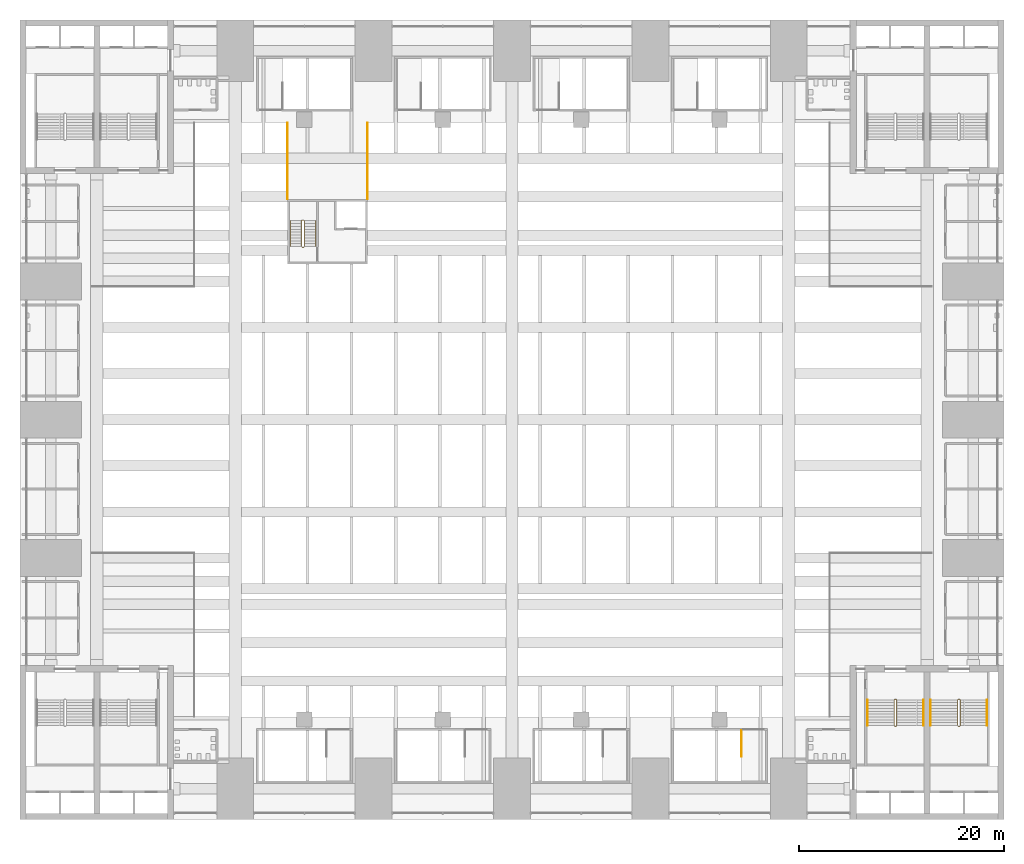
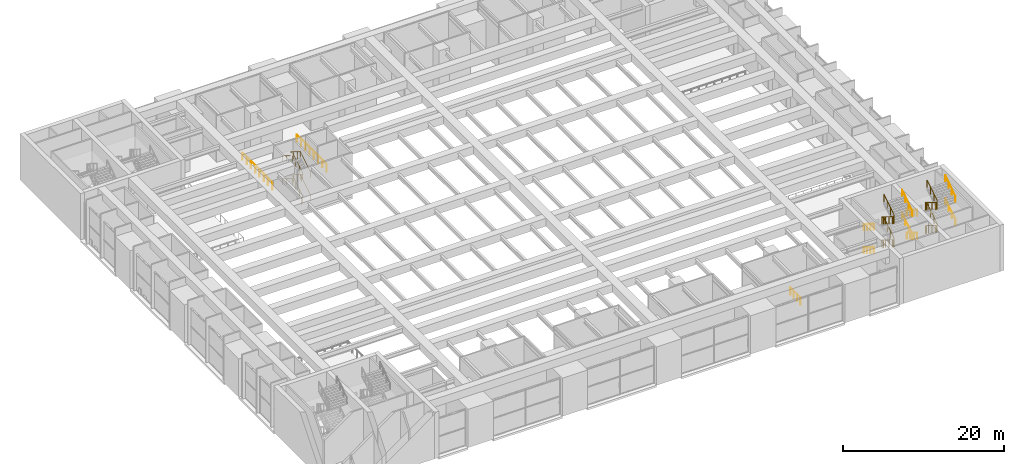
# One storey, part 42 of 45: 8 railings.
"""IFC4 building model written with IfcOpenShell, lengths in metres."""

from ifc_helpers import new_model, si_unit, direction, frame, origin, origin_2d, place, context, subcontext, project, spatial, circle, extrude, material, type_object, element, save


model = new_model("IFC4")

# Units and contexts
model_context = context("Model", 3, precision=1e-05, world=origin(), true_north=direction((0.0, 1.0)))
body_context = subcontext(model_context, "Body", "Model", "MODEL_VIEW")
ifc_project = project(units=[si_unit("LENGTHUNIT", "METRE"), si_unit("AREAUNIT", "SQUARE_METRE"), si_unit("VOLUMEUNIT", "CUBIC_METRE"), si_unit("PLANEANGLEUNIT", "RADIAN"), si_unit("MASSUNIT", "GRAM", prefix="KILO")], contexts=[model_context])

# Site, building, storey
site_placement = place(None, origin())
site = spatial("IfcSite", under=ifc_project, at=site_placement, CompositionType="ELEMENT")
building_placement = place(site_placement, origin())
building = spatial("IfcBuilding", under=site, at=building_placement, Name="Corbelhall Arena Tower", CompositionType="ELEMENT")
storey_placement = place(building_placement, frame((0.0, 0.0, 37.0)))
storey = spatial("IfcBuildingStorey", under=building, at=storey_placement, Name="L05", CompositionType="ELEMENT", Elevation=37.0)

# Railings
ifc_material_1 = material(Name="Stainless steel A4 and laminated glass", Category="steel")
railing_type_1 = type_object("IfcRailingType", Name="AR-GUARD-GLASS", PredefinedType="GUARDRAIL", material=ifc_material_1)
railing_1_placement = place(storey_placement, frame((-21.89990234375, 28.949951171875, 0.0)))
element("IfcRailing", 1, at=railing_1_placement, inside=storey, type_object=railing_type_1, Name="Bowl void guard L05 3", PredefinedType="GUARDRAIL", context=body_context, shape_type="SweptSolid", body=[
    extrude(circle(Radius=0.02392578125, at=origin_2d()), frame((0.0, 0.0, 1.076171875), z_axis=(0.0, -1.0, 0.0), x_axis=(1.0, 0.0, 0.0)), (0.0, 0.0, 1.0), 7.39990234375),
    extrude(circle(Radius=0.02099609375, at=origin_2d()), origin(), (0.0, 0.0, 1.0), 1.052001953125),
    extrude(circle(Radius=0.02099609375, at=origin_2d()), frame((0.0, -1.05712890625, 0.0)), (0.0, 0.0, 1.0), 1.052001953125),
    extrude(circle(Radius=0.02099609375, at=origin_2d()), frame((0.0, -2.1142578125, 0.0)), (0.0, 0.0, 1.0), 1.052001953125),
    extrude(circle(Radius=0.02099609375, at=origin_2d()), frame((0.0, -3.17138671875, 0.0)), (0.0, 0.0, 1.0), 1.052001953125),
    extrude(circle(Radius=0.02099609375, at=origin_2d()), frame((0.0, -4.228515625, 0.0)), (0.0, 0.0, 1.0), 1.052001953125),
    extrude(circle(Radius=0.02099609375, at=origin_2d()), frame((0.0, -5.28564453125, 0.0)), (0.0, 0.0, 1.0), 1.052001953125),
    extrude(circle(Radius=0.02099609375, at=origin_2d()), frame((0.0, -6.3427734375, 0.0)), (0.0, 0.0, 1.0), 1.052001953125),
    extrude(circle(Radius=0.02099609375, at=origin_2d()), frame((0.0, -7.39990234375, 0.0)), (0.0, 0.0, 1.0), 1.052001953125),
])
railing_2_placement = place(storey_placement, frame((-14.10009765625, 21.550048828125, 0.0)))
element("IfcRailing", 2, at=railing_2_placement, inside=storey, type_object=railing_type_1, Name="Bowl void guard L05 4", PredefinedType="GUARDRAIL", context=body_context, shape_type="SweptSolid", body=[
    extrude(circle(Radius=0.02392578125, at=origin_2d()), frame((0.0, 0.0, 1.076171875), z_axis=(0.0, 1.0, 0.0), x_axis=(-1.0, 0.0, 0.0)), (0.0, 0.0, 1.0), 7.39990234375),
    extrude(circle(Radius=0.02099609375, at=origin_2d()), origin(), (0.0, 0.0, 1.0), 1.052001953125),
    extrude(circle(Radius=0.02099609375, at=origin_2d()), frame((0.0, 1.05712890625, 0.0)), (0.0, 0.0, 1.0), 1.052001953125),
    extrude(circle(Radius=0.02099609375, at=origin_2d()), frame((0.0, 2.1142578125, 0.0)), (0.0, 0.0, 1.0), 1.052001953125),
    extrude(circle(Radius=0.02099609375, at=origin_2d()), frame((0.0, 3.17138671875, 0.0)), (0.0, 0.0, 1.0), 1.052001953125),
    extrude(circle(Radius=0.02099609375, at=origin_2d()), frame((0.0, 4.228515625, 0.0)), (0.0, 0.0, 1.0), 1.052001953125),
    extrude(circle(Radius=0.02099609375, at=origin_2d()), frame((0.0, 5.28564453125, 0.0)), (0.0, 0.0, 1.0), 1.052001953125),
    extrude(circle(Radius=0.02099609375, at=origin_2d()), frame((0.0, 6.3427734375, 0.0)), (0.0, 0.0, 1.0), 1.052001953125),
    extrude(circle(Radius=0.02099609375, at=origin_2d()), frame((0.0, 7.39990234375, 0.0)), (0.0, 0.0, 1.0), 1.052001953125),
])
ifc_material_2 = material(Name="Stainless steel A4", Category="steel")
railing_type_2 = type_object("IfcRailingType", Name="AR-STAIR-GUARD", PredefinedType="GUARDRAIL", material=ifc_material_2)
railing_3_placement = place(storey_placement, frame((22.39990234375, -30.300048828125, 0.0)))
element("IfcRailing", 3, at=railing_3_placement, inside=storey, type_object=railing_type_2, Name="L05 AS16 top well guards", PredefinedType="GUARDRAIL", context=body_context, shape_type="SweptSolid", body=[
    extrude(circle(Radius=0.02392578125, at=origin_2d()), frame((0.0, 0.0, 1.076171875), z_axis=(0.0, -1.0, 0.0), x_axis=(1.0, 0.0, 0.0)), (0.0, 0.0, 1.0), 2.550048828125),
    extrude(circle(Radius=0.02099609375, at=origin_2d()), origin(), (0.0, 0.0, 1.0), 1.052001953125),
    extrude(circle(Radius=0.02099609375, at=origin_2d()), frame((0.0, -0.85009765625, 0.0)), (0.0, 0.0, 1.0), 1.052001953125),
    extrude(circle(Radius=0.02099609375, at=origin_2d()), frame((0.0, -1.699951171875, 0.0)), (0.0, 0.0, 1.0), 1.052001953125),
    extrude(circle(Radius=0.02099609375, at=origin_2d()), frame((0.0, -2.550048828125, 0.0)), (0.0, 0.0, 1.0), 1.052001953125),
])
railing_4_placement = place(storey_placement, frame((37.280029296875, -27.320068359375, 0.175048828125)))
element("IfcRailing", 4, at=railing_4_placement, inside=storey, type_object=railing_type_2, Name="L05 AS5 stair guards", PredefinedType="GUARDRAIL", context=body_context, shape_type="SweptSolid", body=[
    extrude(circle(Radius=0.02392578125, at=origin_2d()), frame((0.0, 0.0, 1.076171875), z_axis=(0.0, -0.848007534815, 0.529984170421), x_axis=(1.0, 0.0, 0.0)), (0.0, 0.0, 1.0), 2.9716796875),
    extrude(circle(Radius=0.02392578125, at=origin_2d()), frame((0.050048828125, -2.56982421875, 2.65087890625), z_axis=(1.0, 0.0, 0.0), x_axis=(0.0, 1.0, 0.0)), (0.0, 0.0, 1.0), 0.14990234375),
    extrude(circle(Radius=0.02392578125, at=origin_2d()), frame((0.25, -2.52001953125, 2.826171875), z_axis=(0.0, 0.848007534815, 0.529984170421), x_axis=(-1.0, 0.0, 0.0)), (0.0, 0.0, 1.0), 2.9716796875),
    extrude(circle(Radius=0.02392578125, at=origin_2d()), frame((0.050048828125, 0.050048828125, 4.40087890625), z_axis=(1.0, 0.0, 0.0), x_axis=(0.0, 1.0, 0.0)), (0.0, 0.0, 1.0), 0.14990234375),
    extrude(circle(Radius=0.02392578125, at=origin_2d()), frame((0.0, 0.0, 4.576171875), z_axis=(0.0, -0.848007534815, 0.529984170421), x_axis=(1.0, 0.0, 0.0)), (0.0, 0.0, 1.0), 2.9716796875),
    extrude(circle(Radius=0.02392578125, at=origin_2d()), frame((0.050048828125, -2.56982421875, 6.15087890625), z_axis=(1.0, 0.0, 0.0), x_axis=(0.0, 1.0, 0.0)), (0.0, 0.0, 1.0), 0.14990234375),
    extrude(circle(Radius=0.02392578125, at=origin_2d()), frame((0.25, -2.52001953125, 6.326171875), z_axis=(0.0, 0.848007534815, 0.529984170421), x_axis=(-1.0, 0.0, 0.0)), (0.0, 0.0, 1.0), 2.9716796875),
    extrude(circle(Radius=0.02392578125, at=origin_2d()), frame((0.050048828125, 0.050048828125, 0.90087890625), z_axis=(1.0, 0.0, 0.0), x_axis=(0.0, 1.0, 0.0)), (0.0, 0.0, 1.0), 0.14990234375),
    extrude(circle(Radius=0.02099609375, at=origin_2d()), origin(), (0.0, 0.0, 1.0), 1.052001953125),
    extrude(circle(Radius=0.02099609375, at=origin_2d()), frame((0.0, -0.840087890625, 0.52490234375)), (0.0, 0.0, 1.0), 1.052001953125),
    extrude(circle(Radius=0.02099609375, at=origin_2d()), frame((0.0, -1.679931640625, 1.050048828125)), (0.0, 0.0, 1.0), 1.052001953125),
    extrude(circle(Radius=0.02099609375, at=origin_2d()), frame((0.0, -2.52001953125, 1.574951171875)), (0.0, 0.0, 1.0), 1.052001953125),
    extrude(circle(Radius=0.02099609375, at=origin_2d()), frame((0.050048828125, -2.56982421875, 1.574951171875)), (0.0, 0.0, 1.0), 1.052001953125),
    extrude(circle(Radius=0.02099609375, at=origin_2d()), frame((0.199951171875, -2.56982421875, 1.574951171875)), (0.0, 0.0, 1.0), 1.052001953125),
    extrude(circle(Radius=0.02099609375, at=origin_2d()), frame((0.25, -2.52001953125, 1.75)), (0.0, 0.0, 1.0), 1.052001953125),
    extrude(circle(Radius=0.02099609375, at=origin_2d()), frame((0.25, -1.679931640625, 2.27490234375)), (0.0, 0.0, 1.0), 1.052001953125),
    extrude(circle(Radius=0.02099609375, at=origin_2d()), frame((0.25, -0.840087890625, 2.800048828125)), (0.0, 0.0, 1.0), 1.052001953125),
    extrude(circle(Radius=0.02099609375, at=origin_2d()), frame((0.25, 0.0, 3.324951171875)), (0.0, 0.0, 1.0), 1.052001953125),
    extrude(circle(Radius=0.02099609375, at=origin_2d()), frame((0.050048828125, 0.050048828125, 3.324951171875)), (0.0, 0.0, 1.0), 1.052001953125),
    extrude(circle(Radius=0.02099609375, at=origin_2d()), frame((0.199951171875, 0.050048828125, 3.324951171875)), (0.0, 0.0, 1.0), 1.052001953125),
    extrude(circle(Radius=0.02099609375, at=origin_2d()), frame((0.0, 0.0, 3.5)), (0.0, 0.0, 1.0), 1.052001953125),
    extrude(circle(Radius=0.02099609375, at=origin_2d()), frame((0.0, -0.840087890625, 4.02490234375)), (0.0, 0.0, 1.0), 1.052001953125),
    extrude(circle(Radius=0.02099609375, at=origin_2d()), frame((0.0, -1.679931640625, 4.550048828125)), (0.0, 0.0, 1.0), 1.052001953125),
    extrude(circle(Radius=0.02099609375, at=origin_2d()), frame((0.0, -2.52001953125, 5.074951171875)), (0.0, 0.0, 1.0), 1.052001953125),
    extrude(circle(Radius=0.02099609375, at=origin_2d()), frame((0.050048828125, -2.56982421875, 5.074951171875)), (0.0, 0.0, 1.0), 1.052001953125),
    extrude(circle(Radius=0.02099609375, at=origin_2d()), frame((0.199951171875, -2.56982421875, 5.074951171875)), (0.0, 0.0, 1.0), 1.052001953125),
    extrude(circle(Radius=0.02099609375, at=origin_2d()), frame((0.25, -2.52001953125, 5.25)), (0.0, 0.0, 1.0), 1.052001953125),
    extrude(circle(Radius=0.02099609375, at=origin_2d()), frame((0.25, -1.679931640625, 5.77490234375)), (0.0, 0.0, 1.0), 1.052001953125),
    extrude(circle(Radius=0.02099609375, at=origin_2d()), frame((0.25, -0.840087890625, 6.300048828125)), (0.0, 0.0, 1.0), 1.052001953125),
    extrude(circle(Radius=0.02099609375, at=origin_2d()), frame((0.25, 0.0, 6.824951171875)), (0.0, 0.0, 1.0), 1.052001953125),
    extrude(circle(Radius=0.02099609375, at=origin_2d()), frame((0.050048828125, 0.050048828125, -0.175048828125)), (0.0, 0.0, 1.0), 1.052001953125),
    extrude(circle(Radius=0.02099609375, at=origin_2d()), frame((0.199951171875, 0.050048828125, -0.175048828125)), (0.0, 0.0, 1.0), 1.052001953125),
])
railing_5_placement = place(storey_placement, frame((43.469970703125, -27.320068359375, 0.175048828125)))
element("IfcRailing", 5, at=railing_5_placement, inside=storey, type_object=railing_type_2, Name="L05 AS6 stair guards", PredefinedType="GUARDRAIL", context=body_context, shape_type="SweptSolid", body=[
    extrude(circle(Radius=0.02392578125, at=origin_2d()), frame((0.0, 0.0, 1.076171875), z_axis=(0.0, -0.848007534815, 0.529984170421), x_axis=(1.0, 0.0, 0.0)), (0.0, 0.0, 1.0), 2.9716796875),
    extrude(circle(Radius=0.02392578125, at=origin_2d()), frame((0.050048828125, -2.56982421875, 2.65087890625), z_axis=(1.0, 0.0, 0.0), x_axis=(0.0, 1.0, 0.0)), (0.0, 0.0, 1.0), 0.14990234375),
    extrude(circle(Radius=0.02392578125, at=origin_2d()), frame((0.25, -2.52001953125, 2.826171875), z_axis=(0.0, 0.848007534815, 0.529984170421), x_axis=(-1.0, 0.0, 0.0)), (0.0, 0.0, 1.0), 2.9716796875),
    extrude(circle(Radius=0.02392578125, at=origin_2d()), frame((0.050048828125, 0.050048828125, 4.40087890625), z_axis=(1.0, 0.0, 0.0), x_axis=(0.0, 1.0, 0.0)), (0.0, 0.0, 1.0), 0.14990234375),
    extrude(circle(Radius=0.02392578125, at=origin_2d()), frame((0.0, 0.0, 4.576171875), z_axis=(0.0, -0.848007534815, 0.529984170421), x_axis=(1.0, 0.0, 0.0)), (0.0, 0.0, 1.0), 2.9716796875),
    extrude(circle(Radius=0.02392578125, at=origin_2d()), frame((0.050048828125, -2.56982421875, 6.15087890625), z_axis=(1.0, 0.0, 0.0), x_axis=(0.0, 1.0, 0.0)), (0.0, 0.0, 1.0), 0.14990234375),
    extrude(circle(Radius=0.02392578125, at=origin_2d()), frame((0.25, -2.52001953125, 6.326171875), z_axis=(0.0, 0.848007534815, 0.529984170421), x_axis=(-1.0, 0.0, 0.0)), (0.0, 0.0, 1.0), 2.9716796875),
    extrude(circle(Radius=0.02392578125, at=origin_2d()), frame((0.050048828125, 0.050048828125, 0.90087890625), z_axis=(1.0, 0.0, 0.0), x_axis=(0.0, 1.0, 0.0)), (0.0, 0.0, 1.0), 0.14990234375),
    extrude(circle(Radius=0.02099609375, at=origin_2d()), origin(), (0.0, 0.0, 1.0), 1.052001953125),
    extrude(circle(Radius=0.02099609375, at=origin_2d()), frame((0.0, -0.840087890625, 0.52490234375)), (0.0, 0.0, 1.0), 1.052001953125),
    extrude(circle(Radius=0.02099609375, at=origin_2d()), frame((0.0, -1.679931640625, 1.050048828125)), (0.0, 0.0, 1.0), 1.052001953125),
    extrude(circle(Radius=0.02099609375, at=origin_2d()), frame((0.0, -2.52001953125, 1.574951171875)), (0.0, 0.0, 1.0), 1.052001953125),
    extrude(circle(Radius=0.02099609375, at=origin_2d()), frame((0.050048828125, -2.56982421875, 1.574951171875)), (0.0, 0.0, 1.0), 1.052001953125),
    extrude(circle(Radius=0.02099609375, at=origin_2d()), frame((0.199951171875, -2.56982421875, 1.574951171875)), (0.0, 0.0, 1.0), 1.052001953125),
    extrude(circle(Radius=0.02099609375, at=origin_2d()), frame((0.25, -2.52001953125, 1.75)), (0.0, 0.0, 1.0), 1.052001953125),
    extrude(circle(Radius=0.02099609375, at=origin_2d()), frame((0.25, -1.679931640625, 2.27490234375)), (0.0, 0.0, 1.0), 1.052001953125),
    extrude(circle(Radius=0.02099609375, at=origin_2d()), frame((0.25, -0.840087890625, 2.800048828125)), (0.0, 0.0, 1.0), 1.052001953125),
    extrude(circle(Radius=0.02099609375, at=origin_2d()), frame((0.25, 0.0, 3.324951171875)), (0.0, 0.0, 1.0), 1.052001953125),
    extrude(circle(Radius=0.02099609375, at=origin_2d()), frame((0.050048828125, 0.050048828125, 3.324951171875)), (0.0, 0.0, 1.0), 1.052001953125),
    extrude(circle(Radius=0.02099609375, at=origin_2d()), frame((0.199951171875, 0.050048828125, 3.324951171875)), (0.0, 0.0, 1.0), 1.052001953125),
    extrude(circle(Radius=0.02099609375, at=origin_2d()), frame((0.0, 0.0, 3.5)), (0.0, 0.0, 1.0), 1.052001953125),
    extrude(circle(Radius=0.02099609375, at=origin_2d()), frame((0.0, -0.840087890625, 4.02490234375)), (0.0, 0.0, 1.0), 1.052001953125),
    extrude(circle(Radius=0.02099609375, at=origin_2d()), frame((0.0, -1.679931640625, 4.550048828125)), (0.0, 0.0, 1.0), 1.052001953125),
    extrude(circle(Radius=0.02099609375, at=origin_2d()), frame((0.0, -2.52001953125, 5.074951171875)), (0.0, 0.0, 1.0), 1.052001953125),
    extrude(circle(Radius=0.02099609375, at=origin_2d()), frame((0.050048828125, -2.56982421875, 5.074951171875)), (0.0, 0.0, 1.0), 1.052001953125),
    extrude(circle(Radius=0.02099609375, at=origin_2d()), frame((0.199951171875, -2.56982421875, 5.074951171875)), (0.0, 0.0, 1.0), 1.052001953125),
    extrude(circle(Radius=0.02099609375, at=origin_2d()), frame((0.25, -2.52001953125, 5.25)), (0.0, 0.0, 1.0), 1.052001953125),
    extrude(circle(Radius=0.02099609375, at=origin_2d()), frame((0.25, -1.679931640625, 5.77490234375)), (0.0, 0.0, 1.0), 1.052001953125),
    extrude(circle(Radius=0.02099609375, at=origin_2d()), frame((0.25, -0.840087890625, 6.300048828125)), (0.0, 0.0, 1.0), 1.052001953125),
    extrude(circle(Radius=0.02099609375, at=origin_2d()), frame((0.25, 0.0, 6.824951171875)), (0.0, 0.0, 1.0), 1.052001953125),
    extrude(circle(Radius=0.02099609375, at=origin_2d()), frame((0.050048828125, 0.050048828125, -0.175048828125)), (0.0, 0.0, 1.0), 1.052001953125),
    extrude(circle(Radius=0.02099609375, at=origin_2d()), frame((0.199951171875, 0.050048828125, -0.175048828125)), (0.0, 0.0, 1.0), 1.052001953125),
])
railing_type_3 = type_object("IfcRailingType", Name="AR-STAIR-HANDRAIL", PredefinedType="HANDRAIL", material=ifc_material_2)
railing_6_placement = place(storey_placement, frame((34.659912109375, -27.320068359375, 0.175048828125)))
element("IfcRailing", 6, at=railing_6_placement, inside=storey, type_object=railing_type_3, Name="L05 AS5 stair handrails", PredefinedType="HANDRAIL", context=body_context, shape_type="SweptSolid", body=[
    extrude(circle(Radius=0.02392578125, at=origin_2d()), frame((0.0, 0.0, 0.8759765625), z_axis=(0.0, -0.848007534815, 0.529984170421), x_axis=(1.0, 0.0, 0.0)), (0.0, 0.0, 1.0), 2.9716796875),
    extrude(circle(Radius=0.02392578125, at=origin_2d()), frame((5.489990234375, -2.52001953125, 2.6259765625), z_axis=(0.0, 0.848007534815, 0.529984170421), x_axis=(-1.0, 0.0, 0.0)), (0.0, 0.0, 1.0), 2.9716796875),
    extrude(circle(Radius=0.02392578125, at=origin_2d()), frame((0.0, 0.0, 4.3759765625), z_axis=(0.0, -0.848007534815, 0.529984170421), x_axis=(1.0, 0.0, 0.0)), (0.0, 0.0, 1.0), 2.9716796875),
    extrude(circle(Radius=0.02392578125, at=origin_2d()), frame((5.489990234375, -2.52001953125, 6.1259765625), z_axis=(0.0, 0.848007534815, 0.529984170421), x_axis=(-1.0, 0.0, 0.0)), (0.0, 0.0, 1.0), 2.9716796875),
    extrude(circle(Radius=0.02099609375, at=origin_2d()), origin(), (0.0, 0.0, 1.0), 0.851806640625),
    extrude(circle(Radius=0.02099609375, at=origin_2d()), frame((0.0, -0.840087890625, 0.52490234375)), (0.0, 0.0, 1.0), 0.851806640625),
    extrude(circle(Radius=0.02099609375, at=origin_2d()), frame((0.0, -1.679931640625, 1.050048828125)), (0.0, 0.0, 1.0), 0.851806640625),
    extrude(circle(Radius=0.02099609375, at=origin_2d()), frame((0.0, -2.52001953125, 1.574951171875)), (0.0, 0.0, 1.0), 0.851806640625),
    extrude(circle(Radius=0.02099609375, at=origin_2d()), frame((5.489990234375, -2.52001953125, 1.75)), (0.0, 0.0, 1.0), 0.851806640625),
    extrude(circle(Radius=0.02099609375, at=origin_2d()), frame((5.489990234375, -1.679931640625, 2.27490234375)), (0.0, 0.0, 1.0), 0.851806640625),
    extrude(circle(Radius=0.02099609375, at=origin_2d()), frame((5.489990234375, -0.840087890625, 2.800048828125)), (0.0, 0.0, 1.0), 0.851806640625),
    extrude(circle(Radius=0.02099609375, at=origin_2d()), frame((5.489990234375, 0.0, 3.324951171875)), (0.0, 0.0, 1.0), 0.851806640625),
    extrude(circle(Radius=0.02099609375, at=origin_2d()), frame((0.0, 0.0, 3.5)), (0.0, 0.0, 1.0), 0.851806640625),
    extrude(circle(Radius=0.02099609375, at=origin_2d()), frame((0.0, -0.840087890625, 4.02490234375)), (0.0, 0.0, 1.0), 0.851806640625),
    extrude(circle(Radius=0.02099609375, at=origin_2d()), frame((0.0, -1.679931640625, 4.550048828125)), (0.0, 0.0, 1.0), 0.851806640625),
    extrude(circle(Radius=0.02099609375, at=origin_2d()), frame((0.0, -2.52001953125, 5.074951171875)), (0.0, 0.0, 1.0), 0.851806640625),
    extrude(circle(Radius=0.02099609375, at=origin_2d()), frame((5.489990234375, -2.52001953125, 5.25)), (0.0, 0.0, 1.0), 0.851806640625),
    extrude(circle(Radius=0.02099609375, at=origin_2d()), frame((5.489990234375, -1.679931640625, 5.77490234375)), (0.0, 0.0, 1.0), 0.851806640625),
    extrude(circle(Radius=0.02099609375, at=origin_2d()), frame((5.489990234375, -0.840087890625, 6.300048828125)), (0.0, 0.0, 1.0), 0.851806640625),
    extrude(circle(Radius=0.02099609375, at=origin_2d()), frame((5.489990234375, 0.0, 6.824951171875)), (0.0, 0.0, 1.0), 0.851806640625),
])
railing_7_placement = place(storey_placement, frame((40.85009765625, -27.320068359375, 0.175048828125)))
element("IfcRailing", 7, at=railing_7_placement, inside=storey, type_object=railing_type_3, Name="L05 AS6 stair handrails", PredefinedType="HANDRAIL", context=body_context, shape_type="SweptSolid", body=[
    extrude(circle(Radius=0.02392578125, at=origin_2d()), frame((0.0, 0.0, 0.8759765625), z_axis=(0.0, -0.848007534815, 0.529984170421), x_axis=(1.0, 0.0, 0.0)), (0.0, 0.0, 1.0), 2.9716796875),
    extrude(circle(Radius=0.02392578125, at=origin_2d()), frame((5.489990234375, -2.52001953125, 2.6259765625), z_axis=(0.0, 0.848007534815, 0.529984170421), x_axis=(-1.0, 0.0, 0.0)), (0.0, 0.0, 1.0), 2.9716796875),
    extrude(circle(Radius=0.02392578125, at=origin_2d()), frame((0.0, 0.0, 4.3759765625), z_axis=(0.0, -0.848007534815, 0.529984170421), x_axis=(1.0, 0.0, 0.0)), (0.0, 0.0, 1.0), 2.9716796875),
    extrude(circle(Radius=0.02392578125, at=origin_2d()), frame((5.489990234375, -2.52001953125, 6.1259765625), z_axis=(0.0, 0.848007534815, 0.529984170421), x_axis=(-1.0, 0.0, 0.0)), (0.0, 0.0, 1.0), 2.9716796875),
    extrude(circle(Radius=0.02099609375, at=origin_2d()), origin(), (0.0, 0.0, 1.0), 0.851806640625),
    extrude(circle(Radius=0.02099609375, at=origin_2d()), frame((0.0, -0.840087890625, 0.52490234375)), (0.0, 0.0, 1.0), 0.851806640625),
    extrude(circle(Radius=0.02099609375, at=origin_2d()), frame((0.0, -1.679931640625, 1.050048828125)), (0.0, 0.0, 1.0), 0.851806640625),
    extrude(circle(Radius=0.02099609375, at=origin_2d()), frame((0.0, -2.52001953125, 1.574951171875)), (0.0, 0.0, 1.0), 0.851806640625),
    extrude(circle(Radius=0.02099609375, at=origin_2d()), frame((5.489990234375, -2.52001953125, 1.75)), (0.0, 0.0, 1.0), 0.851806640625),
    extrude(circle(Radius=0.02099609375, at=origin_2d()), frame((5.489990234375, -1.679931640625, 2.27490234375)), (0.0, 0.0, 1.0), 0.851806640625),
    extrude(circle(Radius=0.02099609375, at=origin_2d()), frame((5.489990234375, -0.840087890625, 2.800048828125)), (0.0, 0.0, 1.0), 0.851806640625),
    extrude(circle(Radius=0.02099609375, at=origin_2d()), frame((5.489990234375, 0.0, 3.324951171875)), (0.0, 0.0, 1.0), 0.851806640625),
    extrude(circle(Radius=0.02099609375, at=origin_2d()), frame((0.0, 0.0, 3.5)), (0.0, 0.0, 1.0), 0.851806640625),
    extrude(circle(Radius=0.02099609375, at=origin_2d()), frame((0.0, -0.840087890625, 4.02490234375)), (0.0, 0.0, 1.0), 0.851806640625),
    extrude(circle(Radius=0.02099609375, at=origin_2d()), frame((0.0, -1.679931640625, 4.550048828125)), (0.0, 0.0, 1.0), 0.851806640625),
    extrude(circle(Radius=0.02099609375, at=origin_2d()), frame((0.0, -2.52001953125, 5.074951171875)), (0.0, 0.0, 1.0), 0.851806640625),
    extrude(circle(Radius=0.02099609375, at=origin_2d()), frame((5.489990234375, -2.52001953125, 5.25)), (0.0, 0.0, 1.0), 0.851806640625),
    extrude(circle(Radius=0.02099609375, at=origin_2d()), frame((5.489990234375, -1.679931640625, 5.77490234375)), (0.0, 0.0, 1.0), 0.851806640625),
    extrude(circle(Radius=0.02099609375, at=origin_2d()), frame((5.489990234375, -0.840087890625, 6.300048828125)), (0.0, 0.0, 1.0), 0.851806640625),
    extrude(circle(Radius=0.02099609375, at=origin_2d()), frame((5.489990234375, 0.0, 6.824951171875)), (0.0, 0.0, 1.0), 0.851806640625),
])
ifc_material_3 = material(Name="Steel ASTM A500 Gr C", Category="steel")
railing_type_4 = type_object("IfcRailingType", Name="IN-GD-1100", PredefinedType="GUARDRAIL", material=ifc_material_3)
railing_8_placement = place(storey_placement, frame((-20.2451171875, 16.89990234375, 0.175048828125)))
element("IfcRailing", 8, at=railing_8_placement, inside=storey, type_object=railing_type_4, Name="L05 AS17 stair guards and handrails", PredefinedType="GUARDRAIL", context=body_context, shape_type="SweptSolid", body=[
    extrude(circle(Radius=0.02392578125, at=origin_2d()), frame((0.0, 0.0, 1.076171875), z_axis=(0.0, 0.848007534815, 0.529984170421), x_axis=(-1.0, 0.0, 0.0)), (0.0, 0.0, 1.0), 2.9716796875),
    extrude(circle(Radius=0.02392578125, at=origin_2d()), frame((-0.0498046875, 2.570068359375, 2.65087890625), z_axis=(-1.0, 0.0, 0.0), x_axis=(0.0, -1.0, 0.0)), (0.0, 0.0, 1.0), 0.2001953125),
    extrude(circle(Radius=0.02392578125, at=origin_2d()), frame((-0.2998046875, 2.52001953125, 2.826171875), z_axis=(0.0, -0.848007534815, 0.529984170421), x_axis=(1.0, 0.0, 0.0)), (0.0, 0.0, 1.0), 2.9716796875),
    extrude(circle(Radius=0.02392578125, at=origin_2d()), frame((-0.0498046875, -0.0498046875, 4.40087890625), z_axis=(-1.0, 0.0, 0.0), x_axis=(0.0, -1.0, 0.0)), (0.0, 0.0, 1.0), 0.2001953125),
    extrude(circle(Radius=0.02392578125, at=origin_2d()), frame((0.0, 0.0, 4.576171875), z_axis=(0.0, 0.848007534815, 0.529984170421), x_axis=(-1.0, 0.0, 0.0)), (0.0, 0.0, 1.0), 2.9716796875),
    extrude(circle(Radius=0.02392578125, at=origin_2d()), frame((-0.0498046875, 2.570068359375, 6.15087890625), z_axis=(-1.0, 0.0, 0.0), x_axis=(0.0, -1.0, 0.0)), (0.0, 0.0, 1.0), 0.2001953125),
    extrude(circle(Radius=0.02392578125, at=origin_2d()), frame((-0.2998046875, 2.52001953125, 6.326171875), z_axis=(0.0, -0.848007534815, 0.529984170421), x_axis=(1.0, 0.0, 0.0)), (0.0, 0.0, 1.0), 2.9716796875),
    extrude(circle(Radius=0.02392578125, at=origin_2d()), frame((-0.0498046875, -0.0498046875, 0.90087890625), z_axis=(-1.0, 0.0, 0.0), x_axis=(0.0, -1.0, 0.0)), (0.0, 0.0, 1.0), 0.2001953125),
    extrude(circle(Radius=0.02392578125, at=origin_2d()), frame((1.10009765625, 0.0, 0.8759765625), z_axis=(0.0, 0.848007534815, 0.529984170421), x_axis=(-1.0, 0.0, 0.0)), (0.0, 0.0, 1.0), 2.9716796875),
    extrude(circle(Radius=0.02392578125, at=origin_2d()), frame((-1.39990234375, 2.52001953125, 2.6259765625), z_axis=(0.0, -0.848007534815, 0.529984170421), x_axis=(1.0, 0.0, 0.0)), (0.0, 0.0, 1.0), 2.9716796875),
    extrude(circle(Radius=0.02392578125, at=origin_2d()), frame((1.10009765625, 0.0, 4.3759765625), z_axis=(0.0, 0.848007534815, 0.529984170421), x_axis=(-1.0, 0.0, 0.0)), (0.0, 0.0, 1.0), 2.9716796875),
    extrude(circle(Radius=0.02392578125, at=origin_2d()), frame((-1.39990234375, 2.52001953125, 6.1259765625), z_axis=(0.0, -0.848007534815, 0.529984170421), x_axis=(1.0, 0.0, 0.0)), (0.0, 0.0, 1.0), 2.9716796875),
    extrude(circle(Radius=0.02099609375, at=origin_2d()), origin(), (0.0, 0.0, 1.0), 1.052001953125),
    extrude(circle(Radius=0.02099609375, at=origin_2d()), frame((0.0, 0.840087890625, 0.52490234375)), (0.0, 0.0, 1.0), 1.052001953125),
    extrude(circle(Radius=0.02099609375, at=origin_2d()), frame((0.0, 1.679931640625, 1.050048828125)), (0.0, 0.0, 1.0), 1.052001953125),
    extrude(circle(Radius=0.02099609375, at=origin_2d()), frame((0.0, 2.52001953125, 1.574951171875)), (0.0, 0.0, 1.0), 1.052001953125),
    extrude(circle(Radius=0.02099609375, at=origin_2d()), frame((-0.0498046875, 2.570068359375, 1.574951171875)), (0.0, 0.0, 1.0), 1.052001953125),
    extrude(circle(Radius=0.02099609375, at=origin_2d()), frame((-0.25, 2.570068359375, 1.574951171875)), (0.0, 0.0, 1.0), 1.052001953125),
    extrude(circle(Radius=0.02099609375, at=origin_2d()), frame((-0.2998046875, 2.52001953125, 1.75)), (0.0, 0.0, 1.0), 1.052001953125),
    extrude(circle(Radius=0.02099609375, at=origin_2d()), frame((-0.2998046875, 1.679931640625, 2.27490234375)), (0.0, 0.0, 1.0), 1.052001953125),
    extrude(circle(Radius=0.02099609375, at=origin_2d()), frame((-0.2998046875, 0.840087890625, 2.800048828125)), (0.0, 0.0, 1.0), 1.052001953125),
    extrude(circle(Radius=0.02099609375, at=origin_2d()), frame((-0.2998046875, 0.0, 3.324951171875)), (0.0, 0.0, 1.0), 1.052001953125),
    extrude(circle(Radius=0.02099609375, at=origin_2d()), frame((-0.0498046875, -0.0498046875, 3.324951171875)), (0.0, 0.0, 1.0), 1.052001953125),
    extrude(circle(Radius=0.02099609375, at=origin_2d()), frame((-0.25, -0.0498046875, 3.324951171875)), (0.0, 0.0, 1.0), 1.052001953125),
    extrude(circle(Radius=0.02099609375, at=origin_2d()), frame((0.0, 0.0, 3.5)), (0.0, 0.0, 1.0), 1.052001953125),
    extrude(circle(Radius=0.02099609375, at=origin_2d()), frame((0.0, 0.840087890625, 4.02490234375)), (0.0, 0.0, 1.0), 1.052001953125),
    extrude(circle(Radius=0.02099609375, at=origin_2d()), frame((0.0, 1.679931640625, 4.550048828125)), (0.0, 0.0, 1.0), 1.052001953125),
    extrude(circle(Radius=0.02099609375, at=origin_2d()), frame((0.0, 2.52001953125, 5.074951171875)), (0.0, 0.0, 1.0), 1.052001953125),
    extrude(circle(Radius=0.02099609375, at=origin_2d()), frame((-0.0498046875, 2.570068359375, 5.074951171875)), (0.0, 0.0, 1.0), 1.052001953125),
    extrude(circle(Radius=0.02099609375, at=origin_2d()), frame((-0.25, 2.570068359375, 5.074951171875)), (0.0, 0.0, 1.0), 1.052001953125),
    extrude(circle(Radius=0.02099609375, at=origin_2d()), frame((-0.2998046875, 2.52001953125, 5.25)), (0.0, 0.0, 1.0), 1.052001953125),
    extrude(circle(Radius=0.02099609375, at=origin_2d()), frame((-0.2998046875, 1.679931640625, 5.77490234375)), (0.0, 0.0, 1.0), 1.052001953125),
    extrude(circle(Radius=0.02099609375, at=origin_2d()), frame((-0.2998046875, 0.840087890625, 6.300048828125)), (0.0, 0.0, 1.0), 1.052001953125),
    extrude(circle(Radius=0.02099609375, at=origin_2d()), frame((-0.2998046875, 0.0, 6.824951171875)), (0.0, 0.0, 1.0), 1.052001953125),
    extrude(circle(Radius=0.02099609375, at=origin_2d()), frame((-0.0498046875, -0.0498046875, -0.175048828125)), (0.0, 0.0, 1.0), 1.052001953125),
    extrude(circle(Radius=0.02099609375, at=origin_2d()), frame((-0.25, -0.0498046875, -0.175048828125)), (0.0, 0.0, 1.0), 1.052001953125),
    extrude(circle(Radius=0.02099609375, at=origin_2d()), frame((1.10009765625, 0.0, 0.0)), (0.0, 0.0, 1.0), 0.851806640625),
    extrude(circle(Radius=0.02099609375, at=origin_2d()), frame((1.10009765625, 0.840087890625, 0.52490234375)), (0.0, 0.0, 1.0), 0.851806640625),
    extrude(circle(Radius=0.02099609375, at=origin_2d()), frame((1.10009765625, 1.679931640625, 1.050048828125)), (0.0, 0.0, 1.0), 0.851806640625),
    extrude(circle(Radius=0.02099609375, at=origin_2d()), frame((1.10009765625, 2.52001953125, 1.574951171875)), (0.0, 0.0, 1.0), 0.851806640625),
    extrude(circle(Radius=0.02099609375, at=origin_2d()), frame((-1.39990234375, 2.52001953125, 1.75)), (0.0, 0.0, 1.0), 0.851806640625),
    extrude(circle(Radius=0.02099609375, at=origin_2d()), frame((-1.39990234375, 1.679931640625, 2.27490234375)), (0.0, 0.0, 1.0), 0.851806640625),
    extrude(circle(Radius=0.02099609375, at=origin_2d()), frame((-1.39990234375, 0.840087890625, 2.800048828125)), (0.0, 0.0, 1.0), 0.851806640625),
    extrude(circle(Radius=0.02099609375, at=origin_2d()), frame((-1.39990234375, 0.0, 3.324951171875)), (0.0, 0.0, 1.0), 0.851806640625),
    extrude(circle(Radius=0.02099609375, at=origin_2d()), frame((1.10009765625, 0.0, 3.5)), (0.0, 0.0, 1.0), 0.851806640625),
    extrude(circle(Radius=0.02099609375, at=origin_2d()), frame((1.10009765625, 0.840087890625, 4.02490234375)), (0.0, 0.0, 1.0), 0.851806640625),
    extrude(circle(Radius=0.02099609375, at=origin_2d()), frame((1.10009765625, 1.679931640625, 4.550048828125)), (0.0, 0.0, 1.0), 0.851806640625),
    extrude(circle(Radius=0.02099609375, at=origin_2d()), frame((1.10009765625, 2.52001953125, 5.074951171875)), (0.0, 0.0, 1.0), 0.851806640625),
    extrude(circle(Radius=0.02099609375, at=origin_2d()), frame((-1.39990234375, 2.52001953125, 5.25)), (0.0, 0.0, 1.0), 0.851806640625),
    extrude(circle(Radius=0.02099609375, at=origin_2d()), frame((-1.39990234375, 1.679931640625, 5.77490234375)), (0.0, 0.0, 1.0), 0.851806640625),
    extrude(circle(Radius=0.02099609375, at=origin_2d()), frame((-1.39990234375, 0.840087890625, 6.300048828125)), (0.0, 0.0, 1.0), 0.851806640625),
    extrude(circle(Radius=0.02099609375, at=origin_2d()), frame((-1.39990234375, 0.0, 6.824951171875)), (0.0, 0.0, 1.0), 0.851806640625),
])

save(model, "model.ifc")
